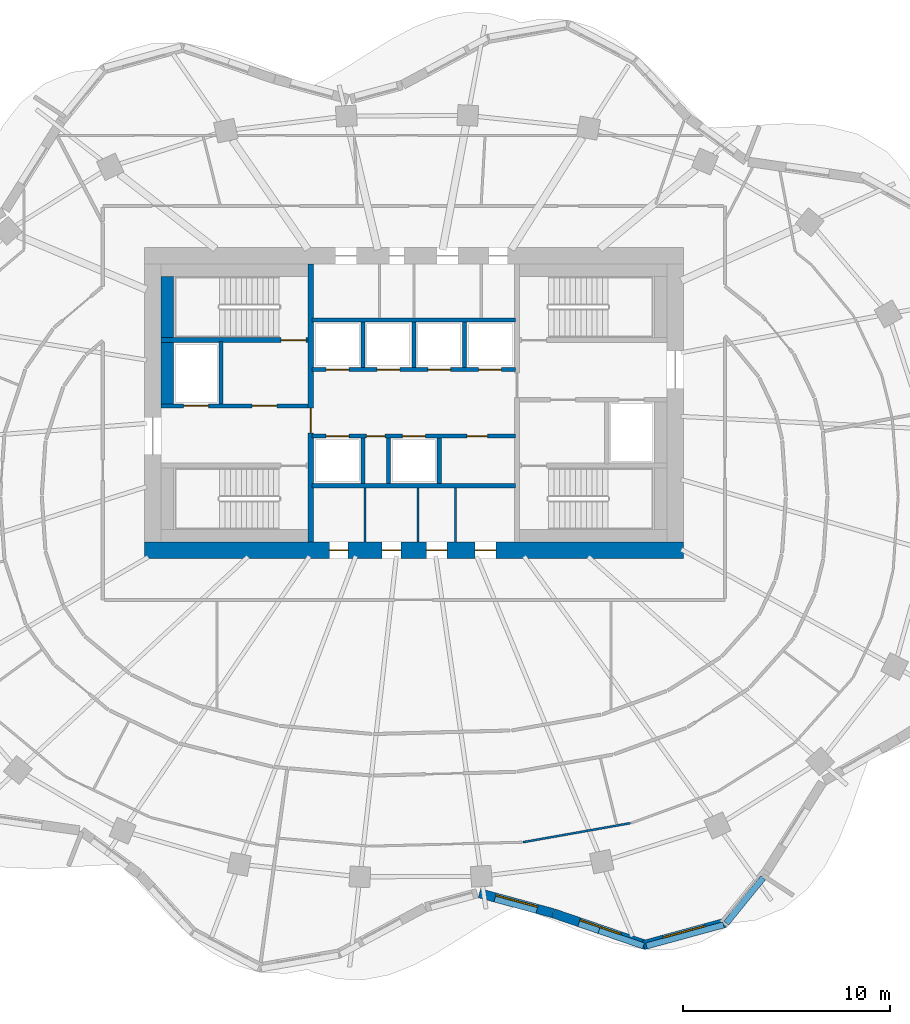
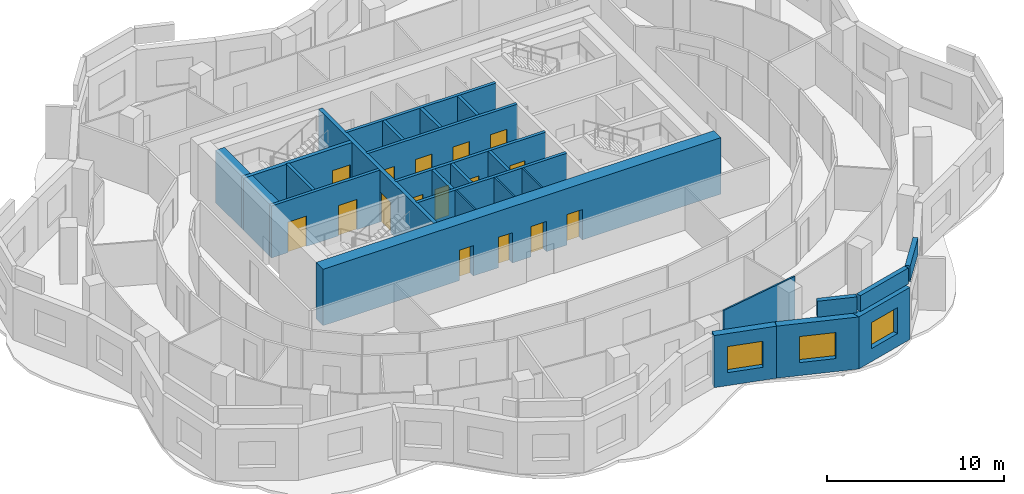
# One storey, part 5 of 10: 27 walls, 16 doors, 3 windows, 19 openings.
"""IFC4 building model written with IfcOpenShell, lengths in metres."""

from ifc_helpers import new_model, si_unit, direction, frame, frame_2d, origin, place, context, subcontext, project, spatial, rectangle, extrude, material, layer, layer_set, type_object, element, fill, save


model = new_model("IFC4")

# Units and contexts
model_context = context("Model", 3, precision=1e-05, world=origin(), true_north=direction((0.0, 1.0)))
body_context = subcontext(model_context, "Body", "Model", "MODEL_VIEW")
ifc_project = project(units=[si_unit("LENGTHUNIT", "METRE"), si_unit("AREAUNIT", "SQUARE_METRE"), si_unit("VOLUMEUNIT", "CUBIC_METRE"), si_unit("PLANEANGLEUNIT", "RADIAN"), si_unit("MASSUNIT", "GRAM", prefix="KILO")], contexts=[model_context])

# Site, building, storey
site_placement = place(None, origin())
site = spatial("IfcSite", under=ifc_project, at=site_placement, CompositionType="ELEMENT")
building_placement = place(site_placement, origin())
building = spatial("IfcBuilding", under=site, at=building_placement, Name="Rubra Terraces Tower", CompositionType="ELEMENT")
storey_placement = place(building_placement, frame((0.0, 0.0, 213.0)))
storey = spatial("IfcBuildingStorey", under=building, at=storey_placement, Name="L52", CompositionType="ELEMENT", Elevation=213.0)

# Wall, opening, window
ifc_material_1 = material(Name="Brick masonry red-brown", Category="masonry")
ifc_layer_1 = layer(ifc_material_1, 0.449951171875)
ifc_layer_set_1 = layer_set([ifc_layer_1], Name="Brick masonry red-brown")
wall_type_1 = type_object("IfcWallType", Name="Brick facade wall 450", PredefinedType="SOLIDWALL", material=ifc_layer_set_1)
wall_1_placement = place(storey_placement, frame((3.164306640625, -19.147216796875, 0.0), z_axis=(0.0, 0.0, 1.0), x_axis=(0.965039479998, -0.262104563191, 0.0)))
wall_1 = element("IfcWall", 1, at=wall_1_placement, inside=storey, type_object=wall_type_1, Name="Facade wall L52 bay 32", PredefinedType="SOLIDWALL", context=body_context, shape_type="SweptSolid", body=[
    extrude(rectangle(XDim=3.671875, YDim=0.449951171875, at=frame_2d((1.8359375, 0.0))), origin(), (0.0, 0.0, 1.0), 3.60009765625),
])
opening_1_placement = place(wall_1_placement, frame((0.785888671875, 0.0, 0.89990234375)))
opening_1 = element("IfcOpeningElement", 2, at=opening_1_placement, cuts=wall_1, Name="Opening W1Z", PredefinedType="OPENING", context=body_context, shape_type="SweptSolid", body=[
    extrude(rectangle(XDim=2.10009765625, YDim=1.800048828125, at=frame_2d((1.050048828125, 0.89990234375))), frame((0.0, 0.23486328125, 0.0), z_axis=(0.0, -1.0, 0.0), x_axis=(1.0, 0.0, 0.0)), (0.0, 0.0, 1.0), 0.469970703125),
])
ifc_material_2 = material(Name="Clear glass in aluminium frame", Category="aluminium")
window_type = type_object("IfcWindowType", Name="Fixed deep-set window under transfer level 2100 x 1800", PartitioningType="SINGLE_PANEL", PredefinedType="WINDOW", material=ifc_material_2)
window_1_placement = place(opening_1_placement, origin())
window_1 = element("IfcWindow", 3, at=window_1_placement, inside=storey, type_object=window_type, Name="Window L52 bay 32", OverallHeight=1.800048828125, OverallWidth=2.10009765625, PartitioningType="SINGLE_PANEL", PredefinedType="WINDOW", context=body_context, shape_type="SweptSolid", body=[
    extrude(rectangle(XDim=2.10009765625, YDim=1.800048828125, at=frame_2d((1.050048828125, 0.89990234375))), frame((0.0, 0.135009765625, 0.0), z_axis=(0.0, -1.0, 0.0), x_axis=(1.0, 0.0, 0.0)), (0.0, 0.0, 1.0), 0.06005859375),
])
fill(opening_1, window_1)

wall_2_placement = place(storey_placement, frame((6.722900390625, -20.114013671875, 0.0), z_axis=(0.0, 0.0, 1.0), x_axis=(0.945947299026, -0.324320377815, 0.0)))
wall_2 = element("IfcWall", 4, at=wall_2_placement, inside=storey, type_object=wall_type_1, Name="Facade wall L52 bay 33", PredefinedType="SOLIDWALL", context=body_context, shape_type="SweptSolid", body=[
    extrude(rectangle(XDim=4.74462890625, YDim=0.449951171875, at=frame_2d((2.372314453125, 0.0))), origin(), (0.0, 0.0, 1.0), 3.60009765625),
])
opening_2_placement = place(wall_2_placement, frame((1.322265625, 0.0, 0.89990234375)))
opening_2 = element("IfcOpeningElement", 5, at=opening_2_placement, cuts=wall_2, Name="Opening W1Z", PredefinedType="OPENING", context=body_context, shape_type="SweptSolid", body=[
    extrude(rectangle(XDim=2.10009765625, YDim=1.800048828125, at=frame_2d((1.050048828125, 0.89990234375))), frame((0.0, 0.23486328125, 0.0), z_axis=(0.0, -1.0, 0.0), x_axis=(1.0, 0.0, 0.0)), (0.0, 0.0, 1.0), 0.469970703125),
])
window_2_placement = place(opening_2_placement, origin())
window_2 = element("IfcWindow", 6, at=window_2_placement, inside=storey, type_object=window_type, Name="Window L52 bay 33", OverallHeight=1.800048828125, OverallWidth=2.10009765625, PartitioningType="SINGLE_PANEL", PredefinedType="WINDOW", context=body_context, shape_type="SweptSolid", body=[
    extrude(rectangle(XDim=2.10009765625, YDim=1.800048828125, at=frame_2d((1.050048828125, 0.89990234375))), frame((0.0, 0.135009765625, 0.0), z_axis=(0.0, -1.0, 0.0), x_axis=(1.0, 0.0, 0.0)), (0.0, 0.0, 1.0), 0.06005859375),
])
fill(opening_2, window_2)

wall_3_placement = place(storey_placement, frame((11.08251953125, -21.64990234375, 0.0), z_axis=(0.0, 0.0, 1.0), x_axis=(0.964483204983, 0.264144179011, 0.0)))
wall_3 = element("IfcWall", 7, at=wall_3_placement, inside=storey, type_object=wall_type_1, Name="Facade wall L52 bay 34", PredefinedType="SOLIDWALL", context=body_context, shape_type="SweptSolid", body=[
    extrude(rectangle(XDim=4.103759765625, YDim=0.449951171875, at=frame_2d((2.0517578125, 0.0))), origin(), (0.0, 0.0, 1.0), 3.60009765625),
])
opening_3_placement = place(wall_3_placement, frame((1.001953125, 0.0, 0.89990234375)))
opening_3 = element("IfcOpeningElement", 8, at=opening_3_placement, cuts=wall_3, Name="Opening W1Z", PredefinedType="OPENING", context=body_context, shape_type="SweptSolid", body=[
    extrude(rectangle(XDim=2.10009765625, YDim=1.800048828125, at=frame_2d((1.050048828125, 0.89990234375))), frame((0.0, 0.23486328125, 0.0), z_axis=(0.0, -1.0, 0.0), x_axis=(1.0, 0.0, 0.0)), (0.0, 0.0, 1.0), 0.469970703125),
])
window_3_placement = place(opening_3_placement, origin())
window_3 = element("IfcWindow", 9, at=window_3_placement, inside=storey, type_object=window_type, Name="Window L52 bay 34", OverallHeight=1.800048828125, OverallWidth=2.10009765625, PartitioningType="SINGLE_PANEL", PredefinedType="WINDOW", context=body_context, shape_type="SweptSolid", body=[
    extrude(rectangle(XDim=2.10009765625, YDim=1.800048828125, at=frame_2d((1.050048828125, 0.89990234375))), frame((0.0, 0.135009765625, 0.0), z_axis=(0.0, -1.0, 0.0), x_axis=(1.0, 0.0, 0.0)), (0.0, 0.0, 1.0), 0.06005859375),
])
fill(opening_3, window_3)

# Walls
ifc_layer_2 = layer(ifc_material_1, 0.300048828125)
ifc_layer_set_2 = layer_set([ifc_layer_2], Name="Brick masonry red-brown")
wall_type_2 = type_object("IfcWallType", Name="Brick parapet 300", PredefinedType="PARAPET", material=ifc_layer_set_2)
wall_4_placement = place(storey_placement, frame((8.9228515625, -20.947509765625, 3.89990234375), z_axis=(0.0, 0.0, 1.0), x_axis=(0.945944064447, -0.324329811976, 0.0)))
element("IfcWall", 10, at=wall_4_placement, inside=storey, type_object=wall_type_2, Name="Parapet L52 bay 33", PredefinedType="PARAPET", context=body_context, shape_type="SweptSolid", body=[
    extrude(rectangle(XDim=2.27490234375, YDim=0.300048828125, at=frame_2d((1.137451171875, 0.0))), origin(), (0.0, 0.0, 1.0), 1.10009765625),
])
wall_5_placement = place(storey_placement, frame((11.220458984375, -21.68994140625, 3.89990234375), z_axis=(0.0, 0.0, 1.0), x_axis=(0.964484148392, 0.264140734271, 0.0)))
element("IfcWall", 11, at=wall_5_placement, inside=storey, type_object=wall_type_2, Name="Parapet L52 bay 34", PredefinedType="PARAPET", context=body_context, shape_type="SweptSolid", body=[
    extrude(rectangle(XDim=3.855224609375, YDim=0.300048828125, at=frame_2d((1.927734375, 0.0))), origin(), (0.0, 0.0, 1.0), 1.10009765625),
])
wall_6_placement = place(storey_placement, frame((15.063232421875, -20.590576171875, 3.89990234375), z_axis=(0.0, 0.0, 1.0), x_axis=(0.631553484363, 0.77533231352, 0.0)))
element("IfcWall", 12, at=wall_6_placement, inside=storey, type_object=wall_type_2, Name="Parapet L52 bay 35", PredefinedType="PARAPET", context=body_context, shape_type="SweptSolid", body=[
    extrude(rectangle(XDim=2.8203125, YDim=0.300048828125, at=frame_2d((1.41015625, 0.0))), origin(), (0.0, 0.0, 1.0), 1.10009765625),
])

# Wall, openings, doors
ifc_material_3 = material(Name="Concrete C50", Category="concrete")
ifc_layer_3 = layer(ifc_material_3, 0.800048828125)
ifc_layer_set_3 = layer_set([ifc_layer_3], Name="Concrete C50")
wall_type_3 = type_object("IfcWallType", Name="CORE WALL 800 C50", PredefinedType="SHEAR", material=ifc_layer_set_3)
wall_7_placement = place(storey_placement, frame((-13.0, -2.60009765625, 0.0), z_axis=(0.0, 0.0, 1.0), x_axis=(1.0, 0.0, 0.0)))
wall_7 = element("IfcWall", 13, at=wall_7_placement, inside=storey, type_object=wall_type_3, Name="CORE WALL S L52", PredefinedType="SHEAR", context=body_context, shape_type="SweptSolid", body=[
    extrude(rectangle(XDim=26.0, YDim=0.800048828125, at=frame_2d((13.0, 0.0))), origin(), (0.0, 0.0, 1.0), 3.89990234375),
])
opening_4_placement = place(wall_7_placement, frame((8.925048828125, 0.0, 0.0)))
opening_4 = element("IfcOpeningElement", 14, at=opening_4_placement, cuts=wall_7, Name="Opening L52.C21", PredefinedType="OPENING", context=body_context, shape_type="SweptSolid", body=[
    extrude(rectangle(XDim=0.89990234375, YDim=2.10009765625, at=frame_2d((0.449951171875, 1.050048828125))), frame((0.0, 0.409912109375, 0.0), z_axis=(0.0, -1.0, 0.0), x_axis=(1.0, 0.0, 0.0)), (0.0, 0.0, 1.0), 0.820068359375),
])
opening_5_placement = place(wall_7_placement, frame((11.47509765625, 0.0, 0.0)))
opening_5 = element("IfcOpeningElement", 15, at=opening_5_placement, cuts=wall_7, Name="Opening L52.C22", PredefinedType="OPENING", context=body_context, shape_type="SweptSolid", body=[
    extrude(rectangle(XDim=0.89990234375, YDim=2.10009765625, at=frame_2d((0.449951171875, 1.050048828125))), frame((0.0, 0.409912109375, 0.0), z_axis=(0.0, -1.0, 0.0), x_axis=(1.0, 0.0, 0.0)), (0.0, 0.0, 1.0), 0.820068359375),
])
opening_6_placement = place(wall_7_placement, frame((13.60009765625, 0.0, 0.0)))
opening_6 = element("IfcOpeningElement", 16, at=opening_6_placement, cuts=wall_7, Name="Opening L52.C23", PredefinedType="OPENING", context=body_context, shape_type="SweptSolid", body=[
    extrude(rectangle(XDim=1.0, YDim=2.10009765625, at=frame_2d((0.5, 1.050048828125))), frame((0.0, 0.409912109375, 0.0), z_axis=(0.0, -1.0, 0.0), x_axis=(1.0, 0.0, 0.0)), (0.0, 0.0, 1.0), 0.820068359375),
])
opening_7_placement = place(wall_7_placement, frame((15.949951171875, 0.0, 0.0)))
opening_7 = element("IfcOpeningElement", 17, at=opening_7_placement, cuts=wall_7, Name="Opening L52.C24", PredefinedType="OPENING", context=body_context, shape_type="SweptSolid", body=[
    extrude(rectangle(XDim=1.0, YDim=2.10009765625, at=frame_2d((0.5, 1.050048828125))), frame((0.0, 0.409912109375, 0.0), z_axis=(0.0, -1.0, 0.0), x_axis=(1.0, 0.0, 0.0)), (0.0, 0.0, 1.0), 0.820068359375),
])
ifc_material_4 = material(Name="Painted steel", Category="steel")
door_type_1 = type_object("IfcDoorType", Name="Fire door 1000x2100 single", OperationType="NOTDEFINED", PredefinedType="DOOR", material=ifc_material_4)
door_1_placement = place(opening_6_placement, origin())
door_1 = element("IfcDoor", 18, at=door_1_placement, inside=storey, type_object=door_type_1, Name="Accessible WC door", OperationType="SINGLE_SWING_LEFT", OverallHeight=2.10009765625, OverallWidth=1.0, PredefinedType="DOOR", context=body_context, shape_type="SweptSolid", body=[
    extrude(rectangle(XDim=1.0, YDim=2.10009765625, at=frame_2d((0.5, 1.050048828125))), frame((0.0, 0.02490234375, 0.0), z_axis=(0.0, -1.0, 0.0), x_axis=(1.0, 0.0, 0.0)), (0.0, 0.0, 1.0), 0.050048828125),
])
fill(opening_6, door_1)
door_2_placement = place(opening_7_placement, origin())
door_2 = element("IfcDoor", 19, at=door_2_placement, inside=storey, type_object=door_type_1, Name="General store door", OperationType="SINGLE_SWING_RIGHT", OverallHeight=2.10009765625, OverallWidth=1.0, PredefinedType="DOOR", context=body_context, shape_type="SweptSolid", body=[
    extrude(rectangle(XDim=1.0, YDim=2.10009765625, at=frame_2d((0.5, 1.050048828125))), frame((0.0, 0.02490234375, 0.0), z_axis=(0.0, -1.0, 0.0), x_axis=(1.0, 0.0, 0.0)), (0.0, 0.0, 1.0), 0.050048828125),
])
fill(opening_7, door_2)
door_type_2 = type_object("IfcDoorType", Name="Fire door 900x2100 single", OperationType="NOTDEFINED", PredefinedType="DOOR", material=ifc_material_4)
door_3_placement = place(opening_4_placement, origin())
door_3 = element("IfcDoor", 20, at=door_3_placement, inside=storey, type_object=door_type_2, Name="Ladies WC door", OperationType="SINGLE_SWING_LEFT", OverallHeight=2.10009765625, OverallWidth=0.89990234375, PredefinedType="DOOR", context=body_context, shape_type="SweptSolid", body=[
    extrude(rectangle(XDim=0.89990234375, YDim=2.10009765625, at=frame_2d((0.449951171875, 1.050048828125))), frame((0.0, 0.02490234375, 0.0), z_axis=(0.0, -1.0, 0.0), x_axis=(1.0, 0.0, 0.0)), (0.0, 0.0, 1.0), 0.050048828125),
])
fill(opening_4, door_3)
door_4_placement = place(opening_5_placement, origin())
door_4 = element("IfcDoor", 21, at=door_4_placement, inside=storey, type_object=door_type_2, Name="Gents WC door", OperationType="SINGLE_SWING_RIGHT", OverallHeight=2.10009765625, OverallWidth=0.89990234375, PredefinedType="DOOR", context=body_context, shape_type="SweptSolid", body=[
    extrude(rectangle(XDim=0.89990234375, YDim=2.10009765625, at=frame_2d((0.449951171875, 1.050048828125))), frame((0.0, 0.02490234375, 0.0), z_axis=(0.0, -1.0, 0.0), x_axis=(1.0, 0.0, 0.0)), (0.0, 0.0, 1.0), 0.050048828125),
])
fill(opening_5, door_4)

# Walls
ifc_material_5 = material(Name="Concrete C40", Category="concrete")
ifc_layer_4 = layer(ifc_material_5, 0.60009765625)
ifc_layer_set_4 = layer_set([ifc_layer_4], Name="Concrete C40")
wall_type_4 = type_object("IfcWallType", Name="Core lining wall 600 concrete", PredefinedType="SOLIDWALL", material=ifc_layer_set_4)
wall_8_placement = place(storey_placement, frame((-11.89990234375, 4.449951171875, 0.0), z_axis=(0.0, 0.0, 1.0), x_axis=(0.0, 1.0, 0.0)))
element("IfcWall", 22, at=wall_8_placement, inside=storey, type_object=wall_type_4, Name="CORE LINING WALL L52", PredefinedType="SOLIDWALL", context=body_context, shape_type="SweptSolid", body=[
    extrude(rectangle(XDim=3.0, YDim=0.60009765625, at=frame_2d((1.5, 0.0))), origin(), (0.0, 0.0, 1.0), 3.60009765625),
])
wall_9_placement = place(storey_placement, frame((-11.89990234375, 7.64990234375, 0.0), z_axis=(0.0, 0.0, 1.0), x_axis=(0.0, 1.0, 0.0)))
element("IfcWall", 23, at=wall_9_placement, inside=storey, type_object=wall_type_4, Name="CORE LINING WALL L52", PredefinedType="SOLIDWALL", context=body_context, shape_type="SweptSolid", body=[
    extrude(rectangle(XDim=2.9501953125, YDim=0.60009765625, at=frame_2d((1.47509765625, 0.0))), origin(), (0.0, 0.0, 1.0), 3.60009765625),
])

# Wall, openings, doors
ifc_material_6 = material(Name="Concrete C30", Category="concrete")
ifc_layer_5 = layer(ifc_material_6, 0.199951171875)
ifc_layer_set_5 = layer_set([ifc_layer_5], Name="Concrete C30")
wall_type_5 = type_object("IfcWallType", Name="Core wall 200 concrete", PredefinedType="SOLIDWALL", material=ifc_layer_set_5)
wall_10_placement = place(storey_placement, frame((-12.199951171875, 4.35009765625, 0.0), z_axis=(0.0, 0.0, 1.0), x_axis=(1.0, 0.0, 0.0)))
wall_10 = element("IfcWall", 24, at=wall_10_placement, inside=storey, type_object=wall_type_5, Name="STAIR WALL L52", PredefinedType="SOLIDWALL", context=body_context, shape_type="SweptSolid", body=[
    extrude(rectangle(XDim=7.099853515625, YDim=0.199951171875, at=frame_2d((3.5498046875, 0.0))), origin(), (0.0, 0.0, 1.0), 3.60009765625),
])
opening_8_placement = place(wall_10_placement, frame((4.39990234375, 0.0, 0.0)))
opening_8 = element("IfcOpeningElement", 25, at=opening_8_placement, cuts=wall_10, Name="Opening L52.C05", PredefinedType="OPENING", context=body_context, shape_type="SweptSolid", body=[
    extrude(rectangle(XDim=1.199951171875, YDim=2.10009765625, at=frame_2d((0.60009765625, 1.050048828125))), frame((0.0, 0.10986328125, 0.0), z_axis=(0.0, -1.0, 0.0), x_axis=(1.0, 0.0, 0.0)), (0.0, 0.0, 1.0), 0.219970703125),
])
opening_9_placement = place(wall_10_placement, frame((1.10009765625, 0.0, 0.0)))
opening_9 = element("IfcOpeningElement", 26, at=opening_9_placement, cuts=wall_10, Name="Opening L52.C11", PredefinedType="OPENING", context=body_context, shape_type="SweptSolid", body=[
    extrude(rectangle(XDim=1.199951171875, YDim=2.10009765625, at=frame_2d((0.60009765625, 1.050048828125))), frame((0.0, 0.10986328125, 0.0), z_axis=(0.0, -1.0, 0.0), x_axis=(1.0, 0.0, 0.0)), (0.0, 0.0, 1.0), 0.219970703125),
])
door_type_3 = type_object("IfcDoorType", Name="Fire door 1200x2100 single", OperationType="NOTDEFINED", PredefinedType="DOOR", material=ifc_material_4)
door_5_placement = place(opening_8_placement, origin())
door_5 = element("IfcDoor", 27, at=door_5_placement, inside=storey, type_object=door_type_3, Name="Stair vestibule door S2", OperationType="SINGLE_SWING_LEFT", OverallHeight=2.10009765625, OverallWidth=1.199951171875, PredefinedType="DOOR", context=body_context, shape_type="SweptSolid", body=[
    extrude(rectangle(XDim=1.199951171875, YDim=2.10009765625, at=frame_2d((0.60009765625, 1.050048828125))), frame((0.0, 0.02490234375, 0.0), z_axis=(0.0, -1.0, 0.0), x_axis=(1.0, 0.0, 0.0)), (0.0, 0.0, 1.0), 0.050048828125),
])
fill(opening_8, door_5)
ifc_material_7 = material(Name="Stainless steel", Category="steel")
door_type_4 = type_object("IfcDoorType", Name="Lift landing door 1200x2100", OperationType="NOTDEFINED", PredefinedType="DOOR", material=ifc_material_7)
door_6_placement = place(opening_9_placement, origin())
door_6 = element("IfcDoor", 28, at=door_6_placement, inside=storey, type_object=door_type_4, Name="Landing door FF1", OperationType="SLIDING_TO_RIGHT", OverallHeight=2.10009765625, OverallWidth=1.199951171875, PredefinedType="DOOR", context=body_context, shape_type="SweptSolid", body=[
    extrude(rectangle(XDim=1.199951171875, YDim=2.10009765625, at=frame_2d((0.60009765625, 1.050048828125))), frame((0.0, 0.02490234375, 0.0), z_axis=(0.0, -1.0, 0.0), x_axis=(1.0, 0.0, 0.0)), (0.0, 0.0, 1.0), 0.050048828125),
])
fill(opening_9, door_6)

# Walls
wall_11_placement = place(storey_placement, frame((-9.300048828125, 4.449951171875, 0.0), z_axis=(0.0, 0.0, 1.0), x_axis=(0.0, 1.0, 0.0)))
element("IfcWall", 29, at=wall_11_placement, inside=storey, type_object=wall_type_5, Name="STAIR WALL L52", PredefinedType="SOLIDWALL", context=body_context, shape_type="SweptSolid", body=[
    extrude(rectangle(XDim=3.0, YDim=0.199951171875, at=frame_2d((1.5, 0.0))), origin(), (0.0, 0.0, 1.0), 3.60009765625),
])
wall_12_placement = place(storey_placement, frame((-4.89990234375, 0.5, 0.0), z_axis=(0.0, 0.0, 1.0), x_axis=(1.0, 0.0, 0.0)))
element("IfcWall", 30, at=wall_12_placement, inside=storey, type_object=wall_type_5, Name="LIFT SHAFT WALL L52", PredefinedType="SOLIDWALL", context=body_context, shape_type="SweptSolid", body=[
    extrude(rectangle(XDim=9.7998046875, YDim=0.199951171875, at=frame_2d((4.89990234375, 0.0))), origin(), (0.0, 0.0, 1.0), 3.60009765625),
])

# Wall, openings, doors
wall_13_placement = place(storey_placement, frame((-4.89990234375, 2.89990234375, 0.0), z_axis=(0.0, 0.0, 1.0), x_axis=(1.0, 0.0, 0.0)))
wall_13 = element("IfcWall", 31, at=wall_13_placement, inside=storey, type_object=wall_type_5, Name="LIFT SHAFT WALL L52", PredefinedType="SOLIDWALL", context=body_context, shape_type="SweptSolid", body=[
    extrude(rectangle(XDim=9.7998046875, YDim=0.199951171875, at=frame_2d((4.89990234375, 0.0))), origin(), (0.0, 0.0, 1.0), 3.60009765625),
])
opening_10_placement = place(wall_13_placement, frame((0.675048828125, 0.0, 0.0)))
opening_10 = element("IfcOpeningElement", 32, at=opening_10_placement, cuts=wall_13, Name="Opening L52.C13", PredefinedType="OPENING", context=body_context, shape_type="SweptSolid", body=[
    extrude(rectangle(XDim=1.10009765625, YDim=2.10009765625, at=frame_2d((0.550048828125, 1.050048828125))), frame((0.0, 0.10986328125, 0.0), z_axis=(0.0, -1.0, 0.0), x_axis=(1.0, 0.0, 0.0)), (0.0, 0.0, 1.0), 0.219970703125),
])
opening_11_placement = place(wall_13_placement, frame((2.613037109375, 0.0, 0.0)))
opening_11 = element("IfcOpeningElement", 33, at=opening_11_placement, cuts=wall_13, Name="Opening L52.C14", PredefinedType="OPENING", context=body_context, shape_type="SweptSolid", body=[
    extrude(rectangle(XDim=0.89990234375, YDim=2.10009765625, at=frame_2d((0.449951171875, 1.050048828125))), frame((0.0, 0.10986328125, 0.0), z_axis=(0.0, -1.0, 0.0), x_axis=(1.0, 0.0, 0.0)), (0.0, 0.0, 1.0), 0.219970703125),
])
opening_12_placement = place(wall_13_placement, frame((4.35009765625, 0.0, 0.0)))
opening_12 = element("IfcOpeningElement", 34, at=opening_12_placement, cuts=wall_13, Name="Opening L52.C15", PredefinedType="OPENING", context=body_context, shape_type="SweptSolid", body=[
    extrude(rectangle(XDim=1.10009765625, YDim=2.10009765625, at=frame_2d((0.550048828125, 1.050048828125))), frame((0.0, 0.10986328125, 0.0), z_axis=(0.0, -1.0, 0.0), x_axis=(1.0, 0.0, 0.0)), (0.0, 0.0, 1.0), 0.219970703125),
])
opening_13_placement = place(wall_13_placement, frame((7.462890625, 0.0, 0.0)))
opening_13 = element("IfcOpeningElement", 35, at=opening_13_placement, cuts=wall_13, Name="Opening L52.C16", PredefinedType="OPENING", context=body_context, shape_type="SweptSolid", body=[
    extrude(rectangle(XDim=1.0, YDim=2.10009765625, at=frame_2d((0.5, 1.050048828125))), frame((0.0, 0.10986328125, 0.0), z_axis=(0.0, -1.0, 0.0), x_axis=(1.0, 0.0, 0.0)), (0.0, 0.0, 1.0), 0.219970703125),
])
door_7_placement = place(opening_13_placement, origin())
door_7 = element("IfcDoor", 36, at=door_7_placement, inside=storey, type_object=door_type_1, Name="Tea point door", OperationType="SINGLE_SWING_RIGHT", OverallHeight=2.10009765625, OverallWidth=1.0, PredefinedType="DOOR", context=body_context, shape_type="SweptSolid", body=[
    extrude(rectangle(XDim=1.0, YDim=2.10009765625, at=frame_2d((0.5, 1.050048828125))), frame((0.0, 0.02490234375, 0.0), z_axis=(0.0, -1.0, 0.0), x_axis=(1.0, 0.0, 0.0)), (0.0, 0.0, 1.0), 0.050048828125),
])
fill(opening_13, door_7)
door_8_placement = place(opening_11_placement, origin())
door_8 = element("IfcDoor", 37, at=door_8_placement, inside=storey, type_object=door_type_2, Name="Cleaner's store door", OperationType="SINGLE_SWING_RIGHT", OverallHeight=2.10009765625, OverallWidth=0.89990234375, PredefinedType="DOOR", context=body_context, shape_type="SweptSolid", body=[
    extrude(rectangle(XDim=0.89990234375, YDim=2.10009765625, at=frame_2d((0.449951171875, 1.050048828125))), frame((0.0, 0.02490234375, 0.0), z_axis=(0.0, -1.0, 0.0), x_axis=(1.0, 0.0, 0.0)), (0.0, 0.0, 1.0), 0.050048828125),
])
fill(opening_11, door_8)
door_type_5 = type_object("IfcDoorType", Name="Lift landing door 1100x2100", OperationType="NOTDEFINED", PredefinedType="DOOR", material=ifc_material_7)
door_9_placement = place(opening_10_placement, origin())
door_9 = element("IfcDoor", 38, at=door_9_placement, inside=storey, type_object=door_type_5, Name="Landing door HB1", OperationType="SLIDING_TO_RIGHT", OverallHeight=2.10009765625, OverallWidth=1.10009765625, PredefinedType="DOOR", context=body_context, shape_type="SweptSolid", body=[
    extrude(rectangle(XDim=1.10009765625, YDim=2.10009765625, at=frame_2d((0.550048828125, 1.050048828125))), frame((0.0, 0.02490234375, 0.0), z_axis=(0.0, -1.0, 0.0), x_axis=(1.0, 0.0, 0.0)), (0.0, 0.0, 1.0), 0.050048828125),
])
fill(opening_10, door_9)
door_10_placement = place(opening_12_placement, origin())
door_10 = element("IfcDoor", 39, at=door_10_placement, inside=storey, type_object=door_type_5, Name="Landing door HB2", OperationType="SLIDING_TO_LEFT", OverallHeight=2.10009765625, OverallWidth=1.10009765625, PredefinedType="DOOR", context=body_context, shape_type="SweptSolid", body=[
    extrude(rectangle(XDim=1.10009765625, YDim=2.10009765625, at=frame_2d((0.550048828125, 1.050048828125))), frame((0.0, 0.02490234375, 0.0), z_axis=(0.0, -1.0, 0.0), x_axis=(1.0, 0.0, 0.0)), (0.0, 0.0, 1.0), 0.050048828125),
])
fill(opening_12, door_10)

wall_14_placement = place(storey_placement, frame((-4.89990234375, 6.10009765625, 0.0), z_axis=(0.0, 0.0, 1.0), x_axis=(1.0, 0.0, 0.0)))
wall_14 = element("IfcWall", 40, at=wall_14_placement, inside=storey, type_object=wall_type_5, Name="LIFT SHAFT WALL L52", PredefinedType="SOLIDWALL", context=body_context, shape_type="SweptSolid", body=[
    extrude(rectangle(XDim=9.7998046875, YDim=0.199951171875, at=frame_2d((4.89990234375, 0.0))), origin(), (0.0, 0.0, 1.0), 3.60009765625),
])
opening_14_placement = place(wall_14_placement, frame((0.675048828125, 0.0, 0.0)))
opening_14 = element("IfcOpeningElement", 41, at=opening_14_placement, cuts=wall_14, Name="Opening L52.C17", PredefinedType="OPENING", context=body_context, shape_type="SweptSolid", body=[
    extrude(rectangle(XDim=1.10009765625, YDim=2.10009765625, at=frame_2d((0.550048828125, 1.050048828125))), frame((0.0, 0.10986328125, 0.0), z_axis=(0.0, -1.0, 0.0), x_axis=(1.0, 0.0, 0.0)), (0.0, 0.0, 1.0), 0.219970703125),
])
opening_15_placement = place(wall_14_placement, frame((3.125, 0.0, 0.0)))
opening_15 = element("IfcOpeningElement", 42, at=opening_15_placement, cuts=wall_14, Name="Opening L52.C18", PredefinedType="OPENING", context=body_context, shape_type="SweptSolid", body=[
    extrude(rectangle(XDim=1.10009765625, YDim=2.10009765625, at=frame_2d((0.550048828125, 1.050048828125))), frame((0.0, 0.10986328125, 0.0), z_axis=(0.0, -1.0, 0.0), x_axis=(1.0, 0.0, 0.0)), (0.0, 0.0, 1.0), 0.219970703125),
])
opening_16_placement = place(wall_14_placement, frame((5.574951171875, 0.0, 0.0)))
opening_16 = element("IfcOpeningElement", 43, at=opening_16_placement, cuts=wall_14, Name="Opening L52.C19", PredefinedType="OPENING", context=body_context, shape_type="SweptSolid", body=[
    extrude(rectangle(XDim=1.10009765625, YDim=2.10009765625, at=frame_2d((0.550048828125, 1.050048828125))), frame((0.0, 0.10986328125, 0.0), z_axis=(0.0, -1.0, 0.0), x_axis=(1.0, 0.0, 0.0)), (0.0, 0.0, 1.0), 0.219970703125),
])
opening_17_placement = place(wall_14_placement, frame((8.02490234375, 0.0, 0.0)))
opening_17 = element("IfcOpeningElement", 44, at=opening_17_placement, cuts=wall_14, Name="Opening L52.C20", PredefinedType="OPENING", context=body_context, shape_type="SweptSolid", body=[
    extrude(rectangle(XDim=1.10009765625, YDim=2.10009765625, at=frame_2d((0.550048828125, 1.050048828125))), frame((0.0, 0.10986328125, 0.0), z_axis=(0.0, -1.0, 0.0), x_axis=(1.0, 0.0, 0.0)), (0.0, 0.0, 1.0), 0.219970703125),
])
door_11_placement = place(opening_14_placement, origin())
door_11 = element("IfcDoor", 45, at=door_11_placement, inside=storey, type_object=door_type_5, Name="Landing door HB3", OperationType="SLIDING_TO_RIGHT", OverallHeight=2.10009765625, OverallWidth=1.10009765625, PredefinedType="DOOR", context=body_context, shape_type="SweptSolid", body=[
    extrude(rectangle(XDim=1.10009765625, YDim=2.10009765625, at=frame_2d((0.550048828125, 1.050048828125))), frame((0.0, 0.02490234375, 0.0), z_axis=(0.0, -1.0, 0.0), x_axis=(1.0, 0.0, 0.0)), (0.0, 0.0, 1.0), 0.050048828125),
])
fill(opening_14, door_11)
door_12_placement = place(opening_15_placement, origin())
door_12 = element("IfcDoor", 46, at=door_12_placement, inside=storey, type_object=door_type_5, Name="Landing door HB4", OperationType="SLIDING_TO_LEFT", OverallHeight=2.10009765625, OverallWidth=1.10009765625, PredefinedType="DOOR", context=body_context, shape_type="SweptSolid", body=[
    extrude(rectangle(XDim=1.10009765625, YDim=2.10009765625, at=frame_2d((0.550048828125, 1.050048828125))), frame((0.0, 0.02490234375, 0.0), z_axis=(0.0, -1.0, 0.0), x_axis=(1.0, 0.0, 0.0)), (0.0, 0.0, 1.0), 0.050048828125),
])
fill(opening_15, door_12)
door_13_placement = place(opening_16_placement, origin())
door_13 = element("IfcDoor", 47, at=door_13_placement, inside=storey, type_object=door_type_5, Name="Landing door HB5", OperationType="SLIDING_TO_RIGHT", OverallHeight=2.10009765625, OverallWidth=1.10009765625, PredefinedType="DOOR", context=body_context, shape_type="SweptSolid", body=[
    extrude(rectangle(XDim=1.10009765625, YDim=2.10009765625, at=frame_2d((0.550048828125, 1.050048828125))), frame((0.0, 0.02490234375, 0.0), z_axis=(0.0, -1.0, 0.0), x_axis=(1.0, 0.0, 0.0)), (0.0, 0.0, 1.0), 0.050048828125),
])
fill(opening_16, door_13)
door_14_placement = place(opening_17_placement, origin())
door_14 = element("IfcDoor", 48, at=door_14_placement, inside=storey, type_object=door_type_5, Name="Landing door HB6", OperationType="SLIDING_TO_LEFT", OverallHeight=2.10009765625, OverallWidth=1.10009765625, PredefinedType="DOOR", context=body_context, shape_type="SweptSolid", body=[
    extrude(rectangle(XDim=1.10009765625, YDim=2.10009765625, at=frame_2d((0.550048828125, 1.050048828125))), frame((0.0, 0.02490234375, 0.0), z_axis=(0.0, -1.0, 0.0), x_axis=(1.0, 0.0, 0.0)), (0.0, 0.0, 1.0), 0.050048828125),
])
fill(opening_17, door_14)

# Walls
wall_15_placement = place(storey_placement, frame((-4.89990234375, 8.5, 0.0), z_axis=(0.0, 0.0, 1.0), x_axis=(1.0, 0.0, 0.0)))
element("IfcWall", 49, at=wall_15_placement, inside=storey, type_object=wall_type_5, Name="LIFT SHAFT WALL L52", PredefinedType="SOLIDWALL", context=body_context, shape_type="SweptSolid", body=[
    extrude(rectangle(XDim=9.7998046875, YDim=0.199951171875, at=frame_2d((4.89990234375, 0.0))), origin(), (0.0, 0.0, 1.0), 3.60009765625),
])
for number, where, z_axis, x_axis, name in (
    (50, (-2.449951171875, 0.60009765625, 0.0), (0.0, 0.0, 1.0), (0.0, 1.0, 0.0), "LIFT SHAFT WALL L52"),
    (51, (-1.22509765625, 0.60009765625, 0.0), (0.0, 0.0, 1.0), (0.0, 1.0, 0.0), "LIFT SHAFT WALL L52"),
    (52, (1.22509765625, 0.60009765625, 0.0), (0.0, 0.0, 1.0), (0.0, 1.0, 0.0), "LIFT SHAFT WALL L52"),
    (53, (-2.449951171875, 6.199951171875, 0.0), (0.0, 0.0, 1.0), (0.0, 1.0, 0.0), "LIFT SHAFT WALL L52"),
    (54, (0.0, 6.199951171875, 0.0), (0.0, 0.0, 1.0), (0.0, 1.0, 0.0), "LIFT SHAFT WALL L52"),
    (55, (2.449951171875, 6.199951171875, 0.0), (0.0, 0.0, 1.0), (0.0, 1.0, 0.0), "LIFT SHAFT WALL L52"),
):
    element("IfcWall", number, at=place(storey_placement, frame(where, z_axis=z_axis, x_axis=x_axis)), inside=storey, type_object=wall_type_5, Name=name, PredefinedType="SOLIDWALL", context=body_context, shape_type="SweptSolid", body=[
        extrude(rectangle(XDim=2.199951171875, YDim=0.199951171875, at=frame_2d((1.10009765625, 0.0))), origin(), (0.0, 0.0, 1.0), 3.60009765625),
    ])
ifc_material_8 = material(Name="Plasterboard on steel stud", Category="steel")
ifc_layer_6 = layer(ifc_material_8, 0.10009765625)
ifc_layer_set_6 = layer_set([ifc_layer_6], Name="Plasterboard on steel stud")
wall_type_6 = type_object("IfcWallType", Name="ROOM PARTITION 100", PredefinedType="PARTITIONING", material=ifc_layer_set_6)
wall_16_placement = place(storey_placement, frame((10.441162109375, -15.7685546875, 0.0), z_axis=(0.0, 0.0, 1.0), x_axis=(-0.984642067447, -0.174585219919, 0.0)))
element("IfcWall", 56, at=wall_16_placement, inside=storey, type_object=wall_type_6, Name="PARTITION", PredefinedType="PARTITIONING", context=body_context, shape_type="SweptSolid", body=[
    extrude(rectangle(XDim=5.258056640625, YDim=0.10009765625, at=frame_2d((2.62890625, 0.0))), origin(), (0.0, 0.0, 1.0), 2.98388671875),
])
ifc_material_9 = material(Name="Blockwork", Category="masonry")
ifc_layer_7 = layer(ifc_material_9, 0.10009765625)
ifc_layer_set_7 = layer_set([ifc_layer_7], Name="Blockwork")
wall_type_7 = type_object("IfcWallType", Name="Service partition 100 blockwork", PredefinedType="PARTITIONING", material=ifc_layer_set_7)
for number, where, z_axis, x_axis, name in (
    (57, (-2.35009765625, -2.199951171875, 0.0), (0.0, 0.0, 1.0), (0.0, 1.0, 0.0), "SERVICE ROOM PARTITION L52"),
    (58, (0.199951171875, -2.199951171875, 0.0), (0.0, 0.0, 1.0), (0.0, 1.0, 0.0), "SERVICE ROOM PARTITION L52"),
    (59, (2.0, -2.199951171875, 0.0), (0.0, 0.0, 1.0), (0.0, 1.0, 0.0), "SERVICE ROOM PARTITION L52"),
):
    element("IfcWall", number, at=place(storey_placement, frame(where, z_axis=z_axis, x_axis=x_axis)), inside=storey, type_object=wall_type_7, Name=name, PredefinedType="PARTITIONING", context=body_context, shape_type="SweptSolid", body=[
        extrude(rectangle(XDim=2.599853515625, YDim=0.10009765625, at=frame_2d((1.2998046875, 0.0))), origin(), (0.0, 0.0, 1.0), 3.60009765625),
    ])

# Wall, opening, door
ifc_layer_8 = layer(ifc_material_5, 0.25)
ifc_layer_set_8 = layer_set([ifc_layer_8], Name="Concrete C40")
wall_type_8 = type_object("IfcWallType", Name="Stair enclosure wall 250 concrete", PredefinedType="SOLIDWALL", material=ifc_layer_set_8)
wall_17_placement = place(storey_placement, frame((-12.199951171875, 7.52490234375, 0.0), z_axis=(0.0, 0.0, 1.0), x_axis=(1.0, 0.0, 0.0)))
wall_17 = element("IfcWall", 60, at=wall_17_placement, inside=storey, type_object=wall_type_8, Name="STAIR WALL L52", PredefinedType="SOLIDWALL", context=body_context, shape_type="SweptSolid", body=[
    extrude(rectangle(XDim=7.099853515625, YDim=0.25, at=frame_2d((3.5498046875, 0.0))), origin(), (0.0, 0.0, 1.0), 3.60009765625),
])
opening_18_placement = place(wall_17_placement, frame((5.800048828125, 0.0, 0.0)))
opening_18 = element("IfcOpeningElement", 61, at=opening_18_placement, cuts=wall_17, Name="Opening L52.C09", PredefinedType="OPENING", context=body_context, shape_type="SweptSolid", body=[
    extrude(rectangle(XDim=1.199951171875, YDim=2.10009765625, at=frame_2d((0.60009765625, 1.050048828125))), frame((0.0, 0.135009765625, 0.0), z_axis=(0.0, -1.0, 0.0), x_axis=(1.0, 0.0, 0.0)), (0.0, 0.0, 1.0), 0.27001953125),
])
door_15_placement = place(opening_18_placement, origin())
door_15 = element("IfcDoor", 62, at=door_15_placement, inside=storey, type_object=door_type_3, Name="Stair door S2", OperationType="SINGLE_SWING_LEFT", OverallHeight=2.10009765625, OverallWidth=1.199951171875, PredefinedType="DOOR", context=body_context, shape_type="SweptSolid", body=[
    extrude(rectangle(XDim=1.199951171875, YDim=2.10009765625, at=frame_2d((0.60009765625, 1.050048828125))), frame((0.0, 0.02490234375, 0.0), z_axis=(0.0, -1.0, 0.0), x_axis=(1.0, 0.0, 0.0)), (0.0, 0.0, 1.0), 0.050048828125),
])
fill(opening_18, door_15)

wall_18_placement = place(storey_placement, frame((-4.97509765625, -2.199951171875, 0.0), z_axis=(0.0, 0.0, 1.0), x_axis=(0.0, 1.0, 0.0)))
wall_18 = element("IfcWall", 63, at=wall_18_placement, inside=storey, type_object=wall_type_8, Name="CORE LOBBY WALL L52", PredefinedType="SOLIDWALL", context=body_context, shape_type="SweptSolid", body=[
    extrude(rectangle(XDim=13.39990234375, YDim=0.25, at=frame_2d((6.699951171875, 0.0))), origin(), (0.0, 0.0, 1.0), 3.60009765625),
])
opening_19_placement = place(wall_18_placement, frame((5.25, 0.0, 0.0)))
opening_19 = element("IfcOpeningElement", 64, at=opening_19_placement, cuts=wall_18, Name="Opening L52.C03", PredefinedType="OPENING", context=body_context, shape_type="SweptSolid", body=[
    extrude(rectangle(XDim=1.199951171875, YDim=2.10009765625, at=frame_2d((0.60009765625, 1.050048828125))), frame((0.0, 0.135009765625, 0.0), z_axis=(0.0, -1.0, 0.0), x_axis=(1.0, 0.0, 0.0)), (0.0, 0.0, 1.0), 0.27001953125),
])
door_16_placement = place(opening_19_placement, origin())
door_16 = element("IfcDoor", 65, at=door_16_placement, inside=storey, type_object=door_type_3, Name="Firefighting lobby door FF1", OperationType="SINGLE_SWING_LEFT", OverallHeight=2.10009765625, OverallWidth=1.199951171875, PredefinedType="DOOR", context=body_context, shape_type="SweptSolid", body=[
    extrude(rectangle(XDim=1.199951171875, YDim=2.10009765625, at=frame_2d((0.60009765625, 1.050048828125))), frame((0.0, 0.02490234375, 0.0), z_axis=(0.0, -1.0, 0.0), x_axis=(1.0, 0.0, 0.0)), (0.0, 0.0, 1.0), 0.050048828125),
])
fill(opening_19, door_16)

save(model, "model.ifc")
